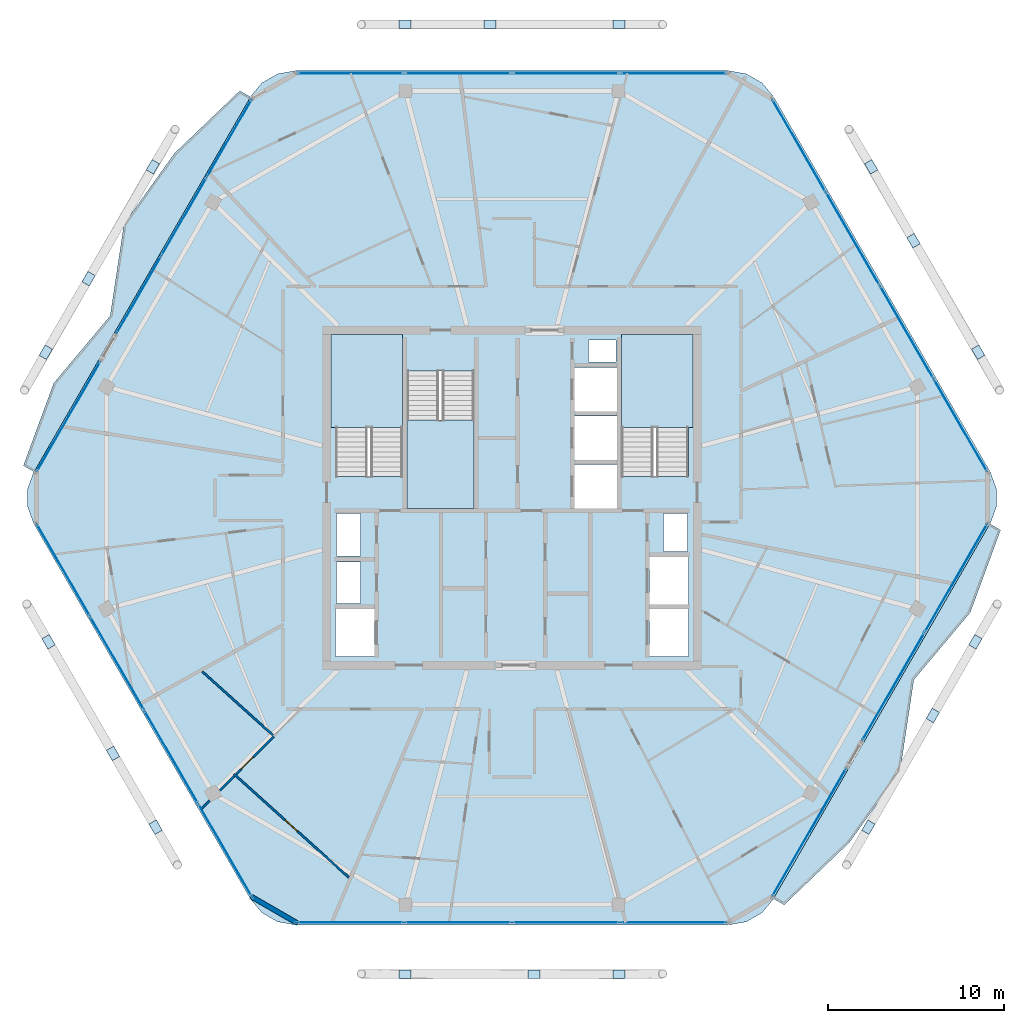
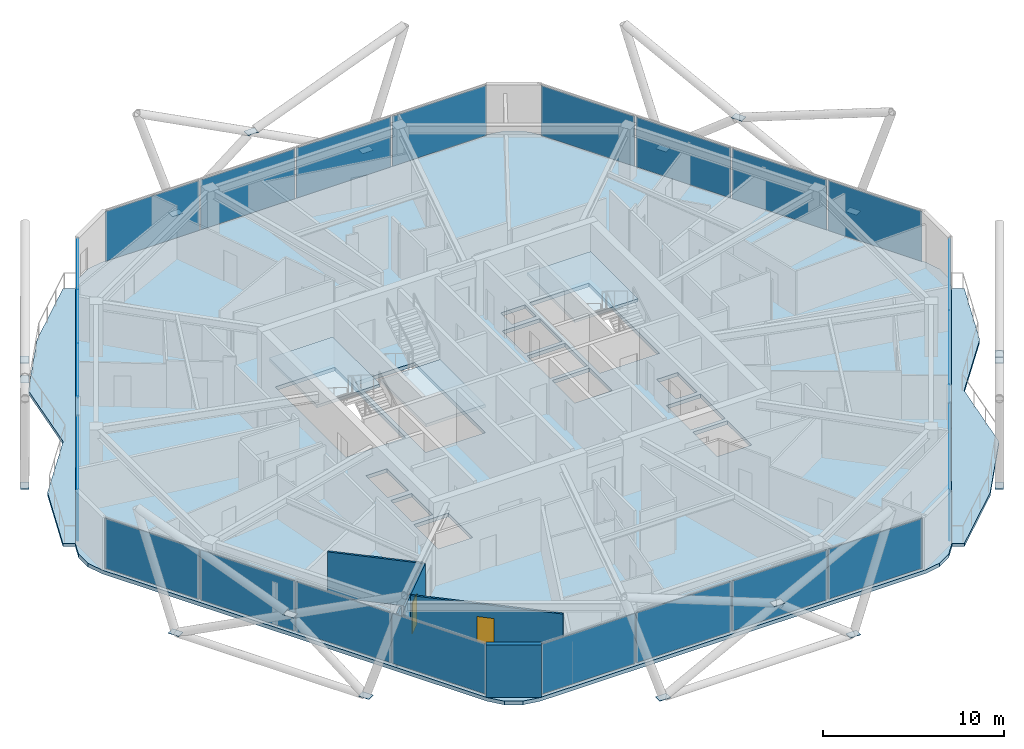
# One storey, part 16 of 24: 41 plates, 6 slabs, 6 walls, 2 doors, 2 openings, 11 elements without a shape of their own.
"""IFC4 building model written with IfcOpenShell, lengths in metres."""

from ifc_helpers import new_model, si_unit, direction, frame, frame_2d, origin, origin_2d, place, context, subcontext, project, spatial, polyline, rectangle, outline, extrude, material, layer, layer_set, type_object, element, fill, aggregate, save


model = new_model("IFC4")

# Units and contexts
model_context = context("Model", 3, precision=1e-05, world=origin(), true_north=direction((0.0, 1.0)))
body_context = subcontext(model_context, "Body", "Model", "MODEL_VIEW")
ifc_project = project(units=[si_unit("LENGTHUNIT", "METRE"), si_unit("AREAUNIT", "SQUARE_METRE"), si_unit("VOLUMEUNIT", "CUBIC_METRE"), si_unit("PLANEANGLEUNIT", "RADIAN"), si_unit("MASSUNIT", "GRAM", prefix="KILO")], contexts=[model_context])

# Site, building, storey
site_placement = place(None, origin())
site = spatial("IfcSite", under=ifc_project, at=site_placement, CompositionType="ELEMENT")
building_placement = place(site_placement, origin())
building = spatial("IfcBuilding", under=site, at=building_placement, Name="Zuhravey Tower", CompositionType="ELEMENT")
storey_placement = place(building_placement, frame((0.0, 0.0, 338.60009765625)))
storey = spatial("IfcBuildingStorey", under=building, at=storey_placement, Name="L86", CompositionType="ELEMENT", Elevation=338.60009765625)

# Plates
ifc_material_1 = material(Name="Steel SM460", Category="steel")
ifc_layer_1 = layer(ifc_material_1, 0.028076171875)
ifc_layer_set_1 = layer_set([ifc_layer_1], Name="Steel SM460")
plate_type_1 = type_object("IfcPlateType", Name="Exoskeleton Zone 4 Node Plate ND4", PredefinedType="SHEET", material=ifc_layer_set_1)
for number, where, z_axis, x_axis, name in (
    (1, (62.428466796875, 40.25244140625, -0.47802734375), (0.0, 0.0, 1.0), (-0.5, 0.866025403784, 0.0), "L86 Exoskeleton Node Gusset L86-01"),
    (2, (56.361083984375, 50.76171875, -0.47802734375), (0.0, 0.0, 1.0), (-0.5, 0.866025403784, 0.0), "L86 Exoskeleton Node Gusset L86-02"),
    (3, (42.0673828125, 58.833984375, -0.47802734375), (0.0, 0.0, 1.0), (-1.0, 0.0, 0.0), "L86 Exoskeleton Node Gusset L86-03"),
    (4, (29.9326171875, 58.833984375, -0.47802734375), (0.0, 0.0, 1.0), (-1.0, 0.0, 0.0), "L86 Exoskeleton Node Gusset L86-04"),
    (5, (15.638916015625, 50.76171875, -0.47802734375), (0.0, 0.0, 1.0), (-0.5, -0.866025403784, 0.0), "L86 Exoskeleton Node Gusset L86-05"),
    (6, (9.571533203125, 40.25244140625, -0.47802734375), (0.0, 0.0, 1.0), (-0.5, -0.866025403784, 0.0), "L86 Exoskeleton Node Gusset L86-06"),
    (7, (9.727294921875, 23.83740234375, -0.47802734375), (0.0, 0.0, 1.0), (0.5, -0.866025403784, 0.0), "L86 Exoskeleton Node Gusset L86-07"),
    (8, (15.794677734375, 13.328369140625, -0.47802734375), (0.0, 0.0, 1.0), (0.5, -0.866025403784, 0.0), "L86 Exoskeleton Node Gusset L86-08"),
    (9, (29.9326171875, 4.98583984375, -0.47802734375), (0.0, 0.0, 1.0), (1.0, 0.0, 0.0), "L86 Exoskeleton Node Gusset L86-09"),
    (10, (42.0673828125, 4.98583984375, -0.47802734375), (0.0, 0.0, 1.0), (1.0, 0.0, 0.0), "L86 Exoskeleton Node Gusset L86-10"),
    (11, (56.205322265625, 13.328369140625, -0.47802734375), (0.0, 0.0, 1.0), (0.5, 0.866025403784, 0.0), "L86 Exoskeleton Node Gusset L86-11"),
    (12, (62.272705078125, 23.83740234375, -0.47802734375), (0.0, 0.0, 1.0), (0.5, 0.866025403784, 0.0), "L86 Exoskeleton Node Gusset L86-12"),
    (13, (58.76123046875, 46.57421875, 3.32177734375), (0.0, 0.0, 1.0), (-0.5, 0.866025403784, 0.0), "L86 Face 1 Diagrid X-Crossing Plate"),
    (14, (34.7587890625, 58.833984375, 3.32177734375), (0.0, 0.0, 1.0), (-1.0, 0.0, 0.0), "L86 Face 2 Diagrid X-Crossing Plate"),
    (15, (11.997802734375, 44.4248046875, 3.32177734375), (0.0, 0.0, 1.0), (-0.5, -0.866025403784, 0.0), "L86 Face 3 Diagrid X-Crossing Plate"),
    (16, (13.381591796875, 17.50830078125, 3.32177734375), (0.0, 0.0, 1.0), (0.5, -0.866025403784, 0.0), "L86 Face 4 Diagrid X-Crossing Plate"),
    (17, (37.2412109375, 5.0009765625, 3.32177734375), (0.0, 0.0, 1.0), (1.0, 0.0, 0.0), "L86 Face 5 Diagrid X-Crossing Plate"),
    (18, (59.859619140625, 19.65771484375, 3.32177734375), (0.0, 0.0, 1.0), (0.5, 0.866025403784, 0.0), "L86 Face 6 Diagrid X-Crossing Plate"),
):
    element("IfcPlate", number, at=place(storey_placement, frame(where, z_axis=z_axis, x_axis=x_axis)), inside=storey, type_object=plate_type_1, Name=name, PredefinedType="SHEET", context=body_context, shape_type="SweptSolid", body=[
        extrude(rectangle(XDim=0.679931640625, YDim=0.47998046875, at=origin_2d()), origin(), (0.0, 0.0, 1.0), 0.028076171875),
    ])

# Slabs
ifc_material_2 = material(Name="Concrete C50/60", Category="concrete")
ifc_layer_2 = layer(ifc_material_2, 0.25)
ifc_layer_set_2 = layer_set([ifc_layer_2], Name="Concrete C50/60")
slab_type_1 = type_object("IfcSlabType", Name="Residential Acoustic Slab 250", PredefinedType="FLOOR", material=ifc_layer_set_2)
slab_1_placement = place(storey_placement, frame((0.0, 0.0, -0.25)))
element("IfcSlab", 19, at=slab_1_placement, inside=storey, type_object=slab_type_1, Name="L86 Floor Slab FS25", PredefinedType="FLOOR", context=body_context, shape_type="SweptSolid", body=[
    extrude(outline(polyline([(63.1083984375, 30.52490234375), (63.458740234375, 31.48779296875), (63.458740234375, 32.51220703125), (63.1083984375, 33.47509765625), (50.83154296875, 54.739013671875), (50.173095703125, 55.52392578125), (49.285888671875, 56.0361328125), (48.27685546875, 56.214111328125), (23.72314453125, 56.214111328125), (22.714111328125, 56.0361328125), (21.826904296875, 55.52392578125), (21.16845703125, 54.739013671875), (8.8916015625, 33.47509765625), (8.541259765625, 32.51220703125), (8.541259765625, 31.48779296875), (8.8916015625, 30.52490234375), (21.16845703125, 9.260986328125), (21.826904296875, 8.47607421875), (22.714111328125, 7.9638671875), (23.72314453125, 7.785888671875), (48.27685546875, 7.785888671875), (49.285888671875, 7.9638671875), (50.173095703125, 8.47607421875), (50.83154296875, 9.260986328125), (63.1083984375, 30.52490234375)]), holes=[polyline([(29.800048828125, 33.20068359375), (29.800048828125, 41.0), (26.0, 41.0), (26.0, 33.20068359375), (29.800048828125, 33.20068359375)]), polyline([(46.0, 33.20068359375), (46.0, 41.0), (42.199951171875, 41.0), (42.199951171875, 33.20068359375), (46.0, 33.20068359375)]), polyline([(30.050048828125, 39.199462890625), (30.050048828125, 31.39990234375), (33.85009765625, 31.39990234375), (33.85009765625, 39.199462890625), (30.050048828125, 39.199462890625)]), polyline([(39.550048828125, 31.39990234375), (41.949951171875, 31.39990234375), (41.949951171875, 33.89990234375), (39.550048828125, 33.89990234375), (39.550048828125, 31.39990234375)]), polyline([(39.550048828125, 34.14990234375), (41.949951171875, 34.14990234375), (41.949951171875, 36.64990234375), (39.550048828125, 36.64990234375), (39.550048828125, 34.14990234375)]), polyline([(39.550048828125, 36.89990234375), (41.949951171875, 36.89990234375), (41.949951171875, 39.39990234375), (39.550048828125, 39.39990234375), (39.550048828125, 36.89990234375)]), polyline([(26.0, 23.0), (28.199951171875, 23.0), (28.199951171875, 25.699951171875), (26.0, 25.699951171875), (26.0, 23.0)]), polyline([(43.800048828125, 23.0), (46.0, 23.0), (46.0, 25.699951171875), (43.800048828125, 25.699951171875), (43.800048828125, 23.0)]), polyline([(43.800048828125, 25.949951171875), (46.0, 25.949951171875), (46.0, 28.64990234375), (43.800048828125, 28.64990234375), (43.800048828125, 25.949951171875)]), polyline([(26.050048828125, 26.0), (27.39990234375, 26.0), (27.39990234375, 28.35009765625), (26.050048828125, 28.35009765625), (26.050048828125, 26.0)]), polyline([(26.050048828125, 28.699951171875), (27.39990234375, 28.699951171875), (27.39990234375, 31.10009765625), (26.050048828125, 31.10009765625), (26.050048828125, 28.699951171875)]), polyline([(44.60009765625, 28.949951171875), (45.949951171875, 28.949951171875), (45.949951171875, 31.10009765625), (44.60009765625, 31.10009765625), (44.60009765625, 28.949951171875)]), polyline([(40.35009765625, 39.699951171875), (41.89990234375, 39.699951171875), (41.89990234375, 40.949951171875), (40.35009765625, 40.949951171875), (40.35009765625, 39.699951171875)])]), origin(), (0.0, 0.0, 1.0), 0.25),
])
ifc_material_3 = material(Name="Concrete C40/50", Category="concrete")
ifc_layer_3 = layer(ifc_material_3, 0.219970703125)
ifc_layer_set_3 = layer_set([ifc_layer_3], Name="Concrete C40/50")
slab_type_2 = type_object("IfcSlabType", Name="Sinusoidal Residential Wave Balcony 220", PredefinedType="FLOOR", material=ifc_layer_set_3)
slab_2_placement = place(storey_placement, frame((0.0, 0.0, -0.22021484375)))
element("IfcSlab", 20, at=slab_2_placement, inside=storey, type_object=slab_type_2, Name="L86 Face 3 Wave Balcony WB22", PredefinedType="FLOOR", context=body_context, shape_type="SweptSolid", body=[
    extrude(outline(polyline([(21.177001953125, 54.72412109375), (8.908935546875, 33.47509765625), (8.302734375, 33.824951171875), (10.021240234375, 38.499267578125), (13.222412109375, 42.3173828125), (14.007080078125, 47.531005859375), (16.87744140625, 51.5400390625), (20.57080078125, 55.07421875), (21.177001953125, 54.72412109375)])), origin(), (0.0, 0.0, 1.0), 0.22021484375),
])
slab_3_placement = place(storey_placement, frame((0.0, 0.0, -0.22021484375)))
element("IfcSlab", 21, at=slab_3_placement, inside=storey, type_object=slab_type_2, Name="L86 Face 6 Wave Balcony WB22", PredefinedType="FLOOR", context=body_context, shape_type="SweptSolid", body=[
    extrude(outline(polyline([(50.822998046875, 9.27587890625), (63.091064453125, 30.52490234375), (63.697265625, 30.175048828125), (61.978759765625, 25.500732421875), (58.777587890625, 21.6826171875), (57.992919921875, 16.468994140625), (55.12255859375, 12.4599609375), (51.42919921875, 8.92578125), (50.822998046875, 9.27587890625)])), origin(), (0.0, 0.0, 1.0), 0.22021484375),
])

# Stair, slab
stair_type = type_object("IfcStairType", Name="Housing Storey Stair Assembly 3800", PredefinedType="HALF_TURN_STAIR", material=ifc_material_3)
stair_1_placement = place(storey_placement, origin())
stair_1 = element("IfcStair", 22, at=stair_1_placement, inside=storey, type_object=stair_type, Name="L86 Core Exit Stair ST1", PredefinedType="HALF_TURN_STAIR")
ifc_layer_4 = layer(ifc_material_3, 0.199951171875)
ifc_layer_set_4 = layer_set([ifc_layer_4], Name="Concrete C40/50")
slab_type_3 = type_object("IfcSlabType", Name="Stair Landing Slab 200", PredefinedType="LANDING", material=ifc_layer_set_4)
slab_4_placement = place(storey_placement, frame((0.0, 0.0, 1.699951171875)))
slab_4 = element("IfcSlab", 23, at=slab_4_placement, type_object=slab_type_3, Name="ST1 landing 1", PredefinedType="LANDING", context=body_context, shape_type="SweptSolid", body=[
    extrude(outline(polyline([(29.800048828125, 36.0), (29.800048828125, 41.248046875), (25.751953125, 41.248046875), (25.751953125, 36.0), (29.800048828125, 36.0)])), origin(), (0.0, 0.0, 1.0), 0.199951171875),
])
aggregate(stair_1, [slab_4])

stair_2_placement = place(storey_placement, origin())
stair_2 = element("IfcStair", 24, at=stair_2_placement, inside=storey, type_object=stair_type, Name="L86 Core Exit Stair ST2", PredefinedType="HALF_TURN_STAIR")
slab_5_placement = place(storey_placement, frame((0.0, 0.0, 1.699951171875)))
slab_5 = element("IfcSlab", 25, at=slab_5_placement, type_object=slab_type_3, Name="ST2 landing 1", PredefinedType="LANDING", context=body_context, shape_type="SweptSolid", body=[
    extrude(outline(polyline([(46.248046875, 36.0), (46.248046875, 41.248046875), (42.199951171875, 41.248046875), (42.199951171875, 36.0), (46.248046875, 36.0)])), origin(), (0.0, 0.0, 1.0), 0.199951171875),
])
aggregate(stair_2, [slab_5])

stair_3_placement = place(storey_placement, origin())
stair_3 = element("IfcStair", 26, at=stair_3_placement, inside=storey, type_object=stair_type, Name="L86 Core Exit Stair ST3", PredefinedType="HALF_TURN_STAIR")
slab_6_placement = place(storey_placement, frame((0.0, 0.0, 1.699951171875)))
slab_6 = element("IfcSlab", 27, at=slab_6_placement, type_object=slab_type_3, Name="ST3 landing 1", PredefinedType="LANDING", context=body_context, shape_type="SweptSolid", body=[
    extrude(outline(polyline([(30.050048828125, 36.39990234375), (30.050048828125, 31.39990234375), (33.85009765625, 31.39990234375), (33.85009765625, 36.39990234375), (30.050048828125, 36.39990234375)])), origin(), (0.0, 0.0, 1.0), 0.199951171875),
])
aggregate(stair_3, [slab_6])

# Curtain wall, plates
ifc_material_4 = material(Name="Thermally broken anodised aluminium", Category="aluminium")
curtain_wall_type = type_object("IfcCurtainWallType", Name="Zone 3-4 High-Rise Curtain Wall CW4", PredefinedType="NOTDEFINED", material=ifc_material_4)
curtain_wall_1_placement = place(storey_placement, origin())
curtain_wall_1 = element("IfcCurtainWall", 28, at=curtain_wall_1_placement, inside=storey, type_object=curtain_wall_type, Name="L86 CW4 CW-L86-F6-1", PredefinedType="NOTDEFINED")
ifc_material_5 = material(Name="Triple low-E insulated vision glass", Category="glass")
ifc_layer_5 = layer(ifc_material_5, 0.0419921875)
ifc_layer_set_5 = layer_set([ifc_layer_5], Name="Triple low-E insulated vision glass")
plate_type_2 = type_object("IfcPlateType", Name="Triple Low-E Vision Panel", PredefinedType="CURTAIN_PANEL", material=ifc_layer_set_5)
plate_1_placement = place(storey_placement, frame((61.17041015625, 27.447998046875, 0.08984375), z_axis=(0.0, 0.0, 1.0), x_axis=(-0.499998786583, -0.86602610435, 0.0)))
plate_1 = element("IfcPlate", 29, at=plate_1_placement, type_object=plate_type_2, Name="CW4 panel 1.1", PredefinedType="CURTAIN_PANEL", context=body_context, shape_type="SweptSolid", body=[
    extrude(rectangle(XDim=7.012451171875, YDim=0.0419921875, at=origin_2d()), origin(), (0.0, 0.0, 1.0), 3.3701171875),
])
plate_2_placement = place(storey_placement, frame((57.619140625, 21.297119140625, 0.08984375), z_axis=(0.0, 0.0, 1.0), x_axis=(-0.499998786583, -0.86602610435, 0.0)))
plate_2 = element("IfcPlate", 30, at=plate_2_placement, type_object=plate_type_2, Name="CW4 panel 2.1", PredefinedType="CURTAIN_PANEL", context=body_context, shape_type="SweptSolid", body=[
    extrude(rectangle(XDim=7.012451171875, YDim=0.0419921875, at=origin_2d()), origin(), (0.0, 0.0, 1.0), 3.3701171875),
])
aggregate(curtain_wall_1, [plate_1, plate_2])

# Curtain wall, plate
curtain_wall_2_placement = place(storey_placement, origin())
curtain_wall_2 = element("IfcCurtainWall", 31, at=curtain_wall_2_placement, inside=storey, type_object=curtain_wall_type, Name="L86 CW4 CW-L86-F6-2", PredefinedType="NOTDEFINED")
plate_3_placement = place(storey_placement, frame((52.85009765625, 13.037109375, 0.08984375), z_axis=(0.0, 0.0, 1.0), x_axis=(-0.499999301808, -0.866025806885, 0.0)))
plate_3 = element("IfcPlate", 32, at=plate_3_placement, type_object=plate_type_2, Name="CW4 panel 1.1", PredefinedType="CURTAIN_PANEL", context=body_context, shape_type="SweptSolid", body=[
    extrude(rectangle(XDim=8.3037109375, YDim=0.0419921875, at=origin_2d()), origin(), (0.0, 0.0, 1.0), 3.3701171875),
])
aggregate(curtain_wall_2, [plate_3])

# Curtain wall, plates
curtain_wall_3_placement = place(storey_placement, origin())
curtain_wall_3 = element("IfcCurtainWall", 33, at=curtain_wall_3_placement, inside=storey, type_object=curtain_wall_type, Name="L86 CW4 CW-L86-F5-1", PredefinedType="NOTDEFINED")
plate_4_placement = place(storey_placement, frame((45.156982421875, 7.92578125, 0.08984375), z_axis=(0.0, 0.0, 1.0), x_axis=(-1.0, 0.0, 0.0)))
plate_4 = element("IfcPlate", 34, at=plate_4_placement, type_object=plate_type_2, Name="CW4 panel 1.1", PredefinedType="CURTAIN_PANEL", context=body_context, shape_type="SweptSolid", body=[
    extrude(rectangle(XDim=5.984619140625, YDim=0.0419921875, at=origin_2d()), origin(), (0.0, 0.0, 1.0), 3.3701171875),
])
plate_5_placement = place(storey_placement, frame((39.059814453125, 7.92578125, 0.08984375), z_axis=(0.0, 0.0, 1.0), x_axis=(-1.0, 0.0, 0.0)))
plate_5 = element("IfcPlate", 35, at=plate_5_placement, type_object=plate_type_2, Name="CW4 panel 2.1", PredefinedType="CURTAIN_PANEL", context=body_context, shape_type="SweptSolid", body=[
    extrude(rectangle(XDim=6.029541015625, YDim=0.0419921875, at=origin_2d()), origin(), (0.0, 0.0, 1.0), 3.3701171875),
])
plate_6_placement = place(storey_placement, frame((32.940185546875, 7.92578125, 0.08984375), z_axis=(0.0, 0.0, 1.0), x_axis=(-1.0, 0.0, 0.0)))
plate_6 = element("IfcPlate", 36, at=plate_6_placement, type_object=plate_type_2, Name="CW4 panel 3.1", PredefinedType="CURTAIN_PANEL", context=body_context, shape_type="SweptSolid", body=[
    extrude(rectangle(XDim=6.029541015625, YDim=0.0419921875, at=origin_2d()), origin(), (0.0, 0.0, 1.0), 3.3701171875),
])
plate_7_placement = place(storey_placement, frame((26.843017578125, 7.92578125, 0.08984375), z_axis=(0.0, 0.0, 1.0), x_axis=(-1.0, 0.0, 0.0)))
plate_7 = element("IfcPlate", 37, at=plate_7_placement, type_object=plate_type_2, Name="CW4 panel 4.1", PredefinedType="CURTAIN_PANEL", context=body_context, shape_type="SweptSolid", body=[
    extrude(rectangle(XDim=5.984619140625, YDim=0.0419921875, at=origin_2d()), origin(), (0.0, 0.0, 1.0), 3.3701171875),
])
aggregate(curtain_wall_3, [plate_4, plate_5, plate_6, plate_7])

curtain_wall_4_placement = place(storey_placement, origin())
curtain_wall_4 = element("IfcCurtainWall", 38, at=curtain_wall_4_placement, inside=storey, type_object=curtain_wall_type, Name="L86 CW4 CW-L86-F4-1", PredefinedType="NOTDEFINED")
plate_8_placement = place(storey_placement, frame((19.729736328125, 12.03271484375, 0.08984375), z_axis=(0.0, 0.0, 1.0), x_axis=(-0.49999981336, 0.866025511541, 0.0)))
plate_8 = element("IfcPlate", 39, at=plate_8_placement, type_object=plate_type_2, Name="CW4 panel 1.1", PredefinedType="CURTAIN_PANEL", context=body_context, shape_type="SweptSolid", body=[
    extrude(rectangle(XDim=5.984619140625, YDim=0.0419921875, at=origin_2d()), origin(), (0.0, 0.0, 1.0), 3.3701171875),
])
plate_9_placement = place(storey_placement, frame((16.68115234375, 17.31298828125, 0.08984375), z_axis=(0.0, 0.0, 1.0), x_axis=(-0.49999981336, 0.866025511541, 0.0)))
plate_9 = element("IfcPlate", 40, at=plate_9_placement, type_object=plate_type_2, Name="CW4 panel 2.1", PredefinedType="CURTAIN_PANEL", context=body_context, shape_type="SweptSolid", body=[
    extrude(rectangle(XDim=6.029541015625, YDim=0.0419921875, at=origin_2d()), origin(), (0.0, 0.0, 1.0), 3.3701171875),
])
plate_10_placement = place(storey_placement, frame((13.621337890625, 22.61279296875, 0.08984375), z_axis=(0.0, 0.0, 1.0), x_axis=(-0.49999981336, 0.866025511541, 0.0)))
plate_10 = element("IfcPlate", 41, at=plate_10_placement, type_object=plate_type_2, Name="CW4 panel 3.1", PredefinedType="CURTAIN_PANEL", context=body_context, shape_type="SweptSolid", body=[
    extrude(rectangle(XDim=6.029541015625, YDim=0.0419921875, at=origin_2d()), origin(), (0.0, 0.0, 1.0), 3.3701171875),
])
plate_11_placement = place(storey_placement, frame((10.57275390625, 27.89306640625, 0.08984375), z_axis=(0.0, 0.0, 1.0), x_axis=(-0.49999981336, 0.866025511541, 0.0)))
plate_11 = element("IfcPlate", 42, at=plate_11_placement, type_object=plate_type_2, Name="CW4 panel 4.1", PredefinedType="CURTAIN_PANEL", context=body_context, shape_type="SweptSolid", body=[
    extrude(rectangle(XDim=5.984619140625, YDim=0.0419921875, at=origin_2d()), origin(), (0.0, 0.0, 1.0), 3.3701171875),
])
aggregate(curtain_wall_4, [plate_8, plate_9, plate_10, plate_11])

# Curtain wall, plate
curtain_wall_5_placement = place(storey_placement, origin())
curtain_wall_5 = element("IfcCurtainWall", 43, at=curtain_wall_5_placement, inside=storey, type_object=curtain_wall_type, Name="L86 CW4 CW-L86-F3-1", PredefinedType="NOTDEFINED")
plate_12_placement = place(storey_placement, frame((10.862548828125, 36.608642578125, 0.08984375), z_axis=(0.0, 0.0, 1.0), x_axis=(0.499997069789, 0.866027095536, 0.0)))
plate_12 = element("IfcPlate", 44, at=plate_12_placement, type_object=plate_type_2, Name="CW4 panel 1.1", PredefinedType="CURTAIN_PANEL", context=body_context, shape_type="SweptSolid", body=[
    extrude(rectangle(XDim=7.1435546875, YDim=0.0419921875, at=origin_2d()), origin(), (0.0, 0.0, 1.0), 3.3701171875),
])
aggregate(curtain_wall_5, [plate_12])

# Curtain wall, plates
curtain_wall_6_placement = place(storey_placement, origin())
curtain_wall_6 = element("IfcCurtainWall", 45, at=curtain_wall_6_placement, inside=storey, type_object=curtain_wall_type, Name="L86 CW4 CW-L86-F3-2", PredefinedType="NOTDEFINED")
plate_13_placement = place(storey_placement, frame((14.842529296875, 43.50244140625, 0.08984375), z_axis=(0.0, 0.0, 1.0), x_axis=(0.500002684647, 0.866023853797, 0.0)))
plate_13 = element("IfcPlate", 46, at=plate_13_placement, type_object=plate_type_2, Name="CW4 panel 1.1", PredefinedType="CURTAIN_PANEL", context=body_context, shape_type="SweptSolid", body=[
    extrude(rectangle(XDim=5.0166015625, YDim=0.0419921875, at=origin_2d()), origin(), (0.0, 0.0, 1.0), 3.3701171875),
])
plate_14_placement = place(storey_placement, frame((17.406982421875, 47.9443359375, 0.08984375), z_axis=(0.0, 0.0, 1.0), x_axis=(0.500002684647, 0.866023853797, 0.0)))
plate_14 = element("IfcPlate", 47, at=plate_14_placement, type_object=plate_type_2, Name="CW4 panel 2.1", PredefinedType="CURTAIN_PANEL", context=body_context, shape_type="SweptSolid", body=[
    extrude(rectangle(XDim=5.061767578125, YDim=0.0419921875, at=origin_2d()), origin(), (0.0, 0.0, 1.0), 3.3701171875),
])
plate_15_placement = place(storey_placement, frame((19.9716796875, 52.386474609375, 0.08984375), z_axis=(0.0, 0.0, 1.0), x_axis=(0.500002684647, 0.866023853797, 0.0)))
plate_15 = element("IfcPlate", 48, at=plate_15_placement, type_object=plate_type_2, Name="CW4 panel 3.1", PredefinedType="CURTAIN_PANEL", context=body_context, shape_type="SweptSolid", body=[
    extrude(rectangle(XDim=5.0166015625, YDim=0.0419921875, at=origin_2d()), origin(), (0.0, 0.0, 1.0), 3.3701171875),
])
aggregate(curtain_wall_6, [plate_13, plate_14, plate_15])

curtain_wall_7_placement = place(storey_placement, origin())
curtain_wall_7 = element("IfcCurtainWall", 49, at=curtain_wall_7_placement, inside=storey, type_object=curtain_wall_type, Name="L86 CW4 CW-L86-F2-1", PredefinedType="NOTDEFINED")
plate_16_placement = place(storey_placement, frame((26.843017578125, 56.07421875, 0.08984375), z_axis=(0.0, 0.0, 1.0), x_axis=(1.0, 0.0, 0.0)))
plate_16 = element("IfcPlate", 50, at=plate_16_placement, type_object=plate_type_2, Name="CW4 panel 1.1", PredefinedType="CURTAIN_PANEL", context=body_context, shape_type="SweptSolid", body=[
    extrude(rectangle(XDim=5.984619140625, YDim=0.0419921875, at=origin_2d()), origin(), (0.0, 0.0, 1.0), 3.3701171875),
])
plate_17_placement = place(storey_placement, frame((32.940185546875, 56.07421875, 0.08984375), z_axis=(0.0, 0.0, 1.0), x_axis=(1.0, 0.0, 0.0)))
plate_17 = element("IfcPlate", 51, at=plate_17_placement, type_object=plate_type_2, Name="CW4 panel 2.1", PredefinedType="CURTAIN_PANEL", context=body_context, shape_type="SweptSolid", body=[
    extrude(rectangle(XDim=6.029541015625, YDim=0.0419921875, at=origin_2d()), origin(), (0.0, 0.0, 1.0), 3.3701171875),
])
plate_18_placement = place(storey_placement, frame((39.059814453125, 56.07421875, 0.08984375), z_axis=(0.0, 0.0, 1.0), x_axis=(1.0, 0.0, 0.0)))
plate_18 = element("IfcPlate", 52, at=plate_18_placement, type_object=plate_type_2, Name="CW4 panel 3.1", PredefinedType="CURTAIN_PANEL", context=body_context, shape_type="SweptSolid", body=[
    extrude(rectangle(XDim=6.029541015625, YDim=0.0419921875, at=origin_2d()), origin(), (0.0, 0.0, 1.0), 3.3701171875),
])
plate_19_placement = place(storey_placement, frame((45.156982421875, 56.07421875, 0.08984375), z_axis=(0.0, 0.0, 1.0), x_axis=(1.0, 0.0, 0.0)))
plate_19 = element("IfcPlate", 53, at=plate_19_placement, type_object=plate_type_2, Name="CW4 panel 4.1", PredefinedType="CURTAIN_PANEL", context=body_context, shape_type="SweptSolid", body=[
    extrude(rectangle(XDim=5.984619140625, YDim=0.0419921875, at=origin_2d()), origin(), (0.0, 0.0, 1.0), 3.3701171875),
])
aggregate(curtain_wall_7, [plate_16, plate_17, plate_18, plate_19])

curtain_wall_8_placement = place(storey_placement, origin())
curtain_wall_8 = element("IfcCurtainWall", 54, at=curtain_wall_8_placement, inside=storey, type_object=curtain_wall_type, Name="L86 CW4 CW-L86-F1-1", PredefinedType="NOTDEFINED")
plate_20_placement = place(storey_placement, frame((52.270263671875, 51.96728515625, 0.08984375), z_axis=(0.0, 0.0, 1.0), x_axis=(0.49999981336, -0.866025511541, 0.0)))
plate_20 = element("IfcPlate", 55, at=plate_20_placement, type_object=plate_type_2, Name="CW4 panel 1.1", PredefinedType="CURTAIN_PANEL", context=body_context, shape_type="SweptSolid", body=[
    extrude(rectangle(XDim=5.984619140625, YDim=0.0419921875, at=origin_2d()), origin(), (0.0, 0.0, 1.0), 3.3701171875),
])
plate_21_placement = place(storey_placement, frame((55.31884765625, 46.68701171875, 0.08984375), z_axis=(0.0, 0.0, 1.0), x_axis=(0.49999981336, -0.866025511541, 0.0)))
plate_21 = element("IfcPlate", 56, at=plate_21_placement, type_object=plate_type_2, Name="CW4 panel 2.1", PredefinedType="CURTAIN_PANEL", context=body_context, shape_type="SweptSolid", body=[
    extrude(rectangle(XDim=6.029541015625, YDim=0.0419921875, at=origin_2d()), origin(), (0.0, 0.0, 1.0), 3.3701171875),
])
plate_22_placement = place(storey_placement, frame((58.378662109375, 41.38720703125, 0.08984375), z_axis=(0.0, 0.0, 1.0), x_axis=(0.49999981336, -0.866025511541, 0.0)))
plate_22 = element("IfcPlate", 57, at=plate_22_placement, type_object=plate_type_2, Name="CW4 panel 3.1", PredefinedType="CURTAIN_PANEL", context=body_context, shape_type="SweptSolid", body=[
    extrude(rectangle(XDim=6.029541015625, YDim=0.0419921875, at=origin_2d()), origin(), (0.0, 0.0, 1.0), 3.3701171875),
])
plate_23_placement = place(storey_placement, frame((61.42724609375, 36.10693359375, 0.08984375), z_axis=(0.0, 0.0, 1.0), x_axis=(0.49999981336, -0.866025511541, 0.0)))
plate_23 = element("IfcPlate", 58, at=plate_23_placement, type_object=plate_type_2, Name="CW4 panel 4.1", PredefinedType="CURTAIN_PANEL", context=body_context, shape_type="SweptSolid", body=[
    extrude(rectangle(XDim=5.984619140625, YDim=0.0419921875, at=origin_2d()), origin(), (0.0, 0.0, 1.0), 3.3701171875),
])
aggregate(curtain_wall_8, [plate_20, plate_21, plate_22, plate_23])

# Wall
ifc_material_6 = material(Name="Precast concrete C40/50", Category="concrete")
ifc_layer_6 = layer(ifc_material_6, 0.280029296875)
ifc_layer_set_6 = layer_set([ifc_layer_6], Name="Precast concrete C40/50")
wall_type_1 = type_object("IfcWallType", Name="Crown Architectural Wall 280", PredefinedType="SOLIDWALL", material=ifc_layer_set_6)
wall_1_placement = place(storey_placement, frame((23.843017578125, 7.87841796875, 0.0), z_axis=(0.0, 0.0, 1.0), x_axis=(-0.866023752521, 0.50000286006, 0.0)))
element("IfcWall", 59, at=wall_1_placement, inside=storey, type_object=wall_type_1, Name="L86 Rounded Corner Closure Wall EW28-04", PredefinedType="SOLIDWALL", context=body_context, shape_type="SweptSolid", body=[
    extrude(rectangle(XDim=3.06494140625, YDim=0.280029296875, at=frame_2d((1.532470703125, 0.0))), origin(), (0.0, 0.0, 1.0), 3.5498046875),
])

# Wall, opening, door
ifc_material_7 = material(Name="Gypsum metal-stud partition")
ifc_layer_7 = layer(ifc_material_7, 0.1201171875)
ifc_layer_set_7 = layer_set([ifc_layer_7], Name="Gypsum metal-stud partition")
wall_type_2 = type_object("IfcWallType", Name="Unit Internal Partition 120", PredefinedType="PARTITIONING", material=ifc_layer_set_7)
wall_2_placement = place(storey_placement, frame((20.2294921875, 16.348876953125, 0.0), z_axis=(0.0, 0.0, 1.0), x_axis=(0.743128113079, -0.669149166891, 0.0)))
wall_2 = element("IfcWall", 60, at=wall_2_placement, inside=storey, type_object=wall_type_2, Name="L86 IW12 Partition 028", PredefinedType="PARTITIONING", context=body_context, shape_type="SweptSolid", body=[
    extrude(rectangle(XDim=8.775146484375, YDim=0.1201171875, at=frame_2d((4.3876953125, 0.0))), origin(), (0.0, 0.0, 1.0), 2.969970703125),
])
opening_1_placement = place(wall_2_placement, frame((3.91259765625, 0.0, 0.0)))
opening_1 = element("IfcOpeningElement", 61, at=opening_1_placement, cuts=wall_2, Name="Opening IND1", PredefinedType="OPENING", context=body_context, shape_type="SweptSolid", body=[
    extrude(rectangle(XDim=0.949951171875, YDim=2.10009765625, at=frame_2d((0.47509765625, 1.050048828125))), frame((0.0, 0.072021484375, 0.0), z_axis=(0.0, -1.0, 0.0), x_axis=(1.0, 0.0, 0.0)), (0.0, 0.0, 1.0), 0.14404296875),
])
ifc_material_8 = material(Name="Painted engineered timber leaf", Category="wood")
door_type = type_object("IfcDoorType", Name="Internal Room & Bedroom Door 950x2100", OperationType="NOTDEFINED", PredefinedType="DOOR", material=ifc_material_8)
door_1_placement = place(opening_1_placement, frame((0.949951171875, 0.0, 0.0), z_axis=(0.0, 0.0, 1.0), x_axis=(-1.0, 0.0, 0.0)))
door_1 = element("IfcDoor", 62, at=door_1_placement, inside=storey, type_object=door_type, Name="Apartment L86-03 Family Study Door", OperationType="SINGLE_SWING_RIGHT", OverallHeight=2.10009765625, OverallWidth=0.949951171875, PredefinedType="DOOR", context=body_context, shape_type="SweptSolid", body=[
    extrude(rectangle(XDim=0.949951171875, YDim=2.10009765625, at=frame_2d((0.47509765625, 1.050048828125))), frame((0.0, 0.02490234375, 0.0), z_axis=(0.0, -1.0, 0.0), x_axis=(1.0, 0.0, 0.0)), (0.0, 0.0, 1.0), 0.050048828125),
])
fill(opening_1, door_1)

wall_3_placement = place(storey_placement, frame((22.490966796875, 18.47216796875, 0.0), z_axis=(0.0, 0.0, 1.0), x_axis=(-0.706622737924, -0.707590493329, 0.0)))
wall_3 = element("IfcWall", 63, at=wall_3_placement, inside=storey, type_object=wall_type_2, Name="L86 IW12 Partition 030", PredefinedType="PARTITIONING", context=body_context, shape_type="SweptSolid", body=[
    extrude(rectangle(XDim=3.02734375, YDim=0.1201171875, at=frame_2d((1.513671875, 0.0))), origin(), (0.0, 0.0, 1.0), 3.0),
])
opening_2_placement = place(wall_3_placement, frame((1.65869140625, 0.0, 0.0)))
opening_2 = element("IfcOpeningElement", 64, at=opening_2_placement, cuts=wall_3, Name="Opening IND1", PredefinedType="OPENING", context=body_context, shape_type="SweptSolid", body=[
    extrude(rectangle(XDim=0.949951171875, YDim=2.10009765625, at=frame_2d((0.47509765625, 1.050048828125))), frame((0.0, 0.072021484375, 0.0), z_axis=(0.0, -1.0, 0.0), x_axis=(1.0, 0.0, 0.0)), (0.0, 0.0, 1.0), 0.14404296875),
])
door_2_placement = place(opening_2_placement, frame((0.949951171875, 0.0, 0.0), z_axis=(0.0, 0.0, 1.0), x_axis=(-1.0, 0.0, 0.0)))
door_2 = element("IfcDoor", 65, at=door_2_placement, inside=storey, type_object=door_type, Name="Apartment L86-03 Bedroom 1 Door", OperationType="SINGLE_SWING_RIGHT", OverallHeight=2.10009765625, OverallWidth=0.949951171875, PredefinedType="DOOR", context=body_context, shape_type="SweptSolid", body=[
    extrude(rectangle(XDim=0.949951171875, YDim=2.10009765625, at=frame_2d((0.47509765625, 1.050048828125))), frame((0.0, 0.02490234375, 0.0), z_axis=(0.0, -1.0, 0.0), x_axis=(1.0, 0.0, 0.0)), (0.0, 0.0, 1.0), 0.050048828125),
])
fill(opening_2, door_2)

# Walls
wall_4_placement = place(storey_placement, frame((20.255615234375, 16.233642578125, 0.0), z_axis=(0.0, 0.0, 1.0), x_axis=(-0.7066834908, -0.707529818334, 0.0)))
element("IfcWall", 66, at=wall_4_placement, inside=storey, type_object=wall_type_2, Name="L86 IW12 Partition 031", PredefinedType="PARTITIONING", context=body_context, shape_type="SweptSolid", body=[
    extrude(rectangle(XDim=1.15380859375, YDim=0.1201171875, at=frame_2d((0.576904296875, 0.0))), origin(), (0.0, 0.0, 1.0), 3.0),
])
wall_5_placement = place(storey_placement, frame((18.8671875, 14.84326171875, 0.0), z_axis=(0.0, 0.0, 1.0), x_axis=(-0.706572645611, -0.70764051359, 0.0)))
element("IfcWall", 67, at=wall_5_placement, inside=storey, type_object=wall_type_2, Name="L86 IW12 Partition 072", PredefinedType="PARTITIONING", context=body_context, shape_type="SweptSolid", body=[
    extrude(rectangle(XDim=0.685791015625, YDim=0.1201171875, at=frame_2d((0.3427734375, 0.0))), origin(), (0.0, 0.0, 1.0), 3.5498046875),
])
wall_6_placement = place(storey_placement, frame((18.447265625, 22.14697265625, 0.0), z_axis=(0.0, 0.0, 1.0), x_axis=(0.743118679311, -0.669159643478, 0.0)))
element("IfcWall", 68, at=wall_6_placement, inside=storey, type_object=wall_type_2, Name="L86 IW12 Partition 073", PredefinedType="PARTITIONING", context=body_context, shape_type="SweptSolid", body=[
    extrude(rectangle(XDim=5.397216796875, YDim=0.1201171875, at=frame_2d((2.69873046875, 0.0))), origin(), (0.0, 0.0, 1.0), 3.0),
])

save(model, "model.ifc")
